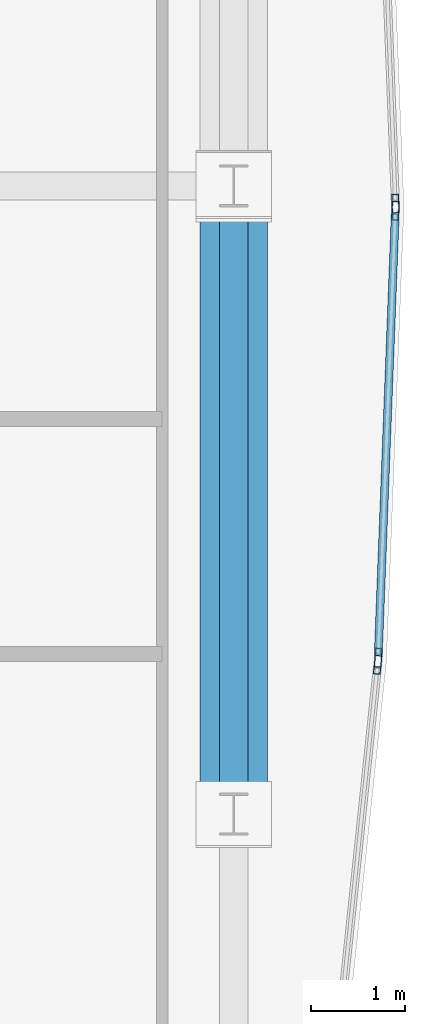
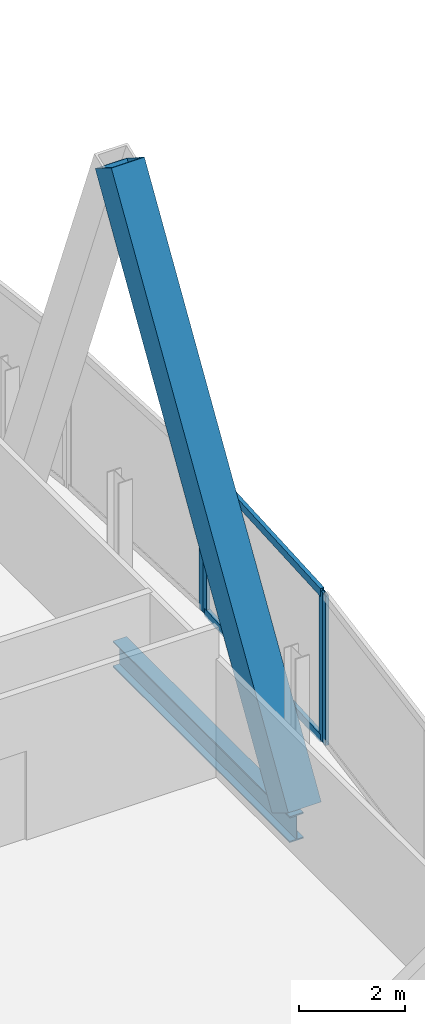
# One storey, part 19 of 32: 7 members, 1 beam, 3 elements without a shape of their own.
"""IFC4 building model written with IfcOpenShell, lengths in metres."""

from ifc_helpers import new_model, si_unit, direction, frame, origin, origin_2d, place, context, subcontext, project, spatial, hollow_rectangle, i_section, extrude, material, material_profile, profile_set, type_object, element, aggregate, save


model = new_model("IFC4")

# Units and contexts
model_context = context("Model", 3, precision=1e-05, world=origin(), true_north=direction((0.0, 1.0)))
body_context = subcontext(model_context, "Body", "Model", "MODEL_VIEW")
ifc_project = project(units=[si_unit("LENGTHUNIT", "METRE"), si_unit("AREAUNIT", "SQUARE_METRE"), si_unit("VOLUMEUNIT", "CUBIC_METRE"), si_unit("PLANEANGLEUNIT", "RADIAN"), si_unit("MASSUNIT", "GRAM", prefix="KILO")], contexts=[model_context])

# Site, building, storey
site_placement = place(None, origin())
site = spatial("IfcSite", under=ifc_project, at=site_placement, CompositionType="ELEMENT")
building_placement = place(site_placement, origin())
building = spatial("IfcBuilding", under=site, at=building_placement, Name="Khoronbel Lancet Exchange", CompositionType="ELEMENT")
storey_placement = place(building_placement, frame((0.0, 0.0, 199.39990234375)))
storey = spatial("IfcBuildingStorey", under=building, at=storey_placement, Name="L50", CompositionType="ELEMENT", Elevation=199.39990234375)

# Beam
ifc_material_1 = material(Name="Steel S355", Category="steel")
ifc_material_profile_1 = material_profile(ifc_material_1, i_section(OverallWidth=0.300048828125, OverallDepth=0.60009765625, WebThickness=0.015380859375, FlangeThickness=0.030029296875, at=origin_2d()), Name="HEB 600")
ifc_profile_set_1 = profile_set([ifc_material_profile_1], Name="Steel S355")
beam_type = type_object("IfcBeamType", Name="BM-BSP2", PredefinedType="SPANDREL", material=ifc_profile_set_1)
beam_placement = place(storey_placement, frame((65.6298828125, 24.75, -0.4599609375), z_axis=(0.0, 1.0, 0.0), x_axis=(-1.0, 0.0, 0.0)))
element("IfcBeam", 1, at=beam_placement, inside=storey, type_object=beam_type, Name="Level L50 perimeter spandrel beam SP12", PredefinedType="SPANDREL", context=body_context, shape_type="SweptSolid", body=[
    extrude(i_section(OverallWidth=0.300048828125, OverallDepth=0.60009765625, WebThickness=0.015380859375, FlangeThickness=0.030029296875, at=origin_2d()), origin(), (0.0, 0.0, 1.0), 6.675048828125),
])

# Curtain wall, member
ifc_material_2 = material(Name="Low-E Solar Control Insulating Glass", Category="glass")
curtain_wall_type = type_object("IfcCurtainWallType", Name="CW-4", PredefinedType="NOTDEFINED", material=ifc_material_2)
curtain_wall_1_placement = place(storey_placement, origin())
curtain_wall_1 = element("IfcCurtainWall", 2, at=curtain_wall_1_placement, inside=storey, type_object=curtain_wall_type, Name="Unitised curtain wall CW-L50-E19", PredefinedType="NOTDEFINED")
ifc_material_3 = material(Name="Bronze-Anodised Aluminium 6063-T6", Category="aluminium")
ifc_material_profile_2 = material_profile(ifc_material_3, hollow_rectangle(XDim=0.074951171875, YDim=0.199951171875, WallThickness=0.0048828125, at=origin_2d()), Name="ALU MULLION 75x200")
ifc_profile_set_2 = profile_set([ifc_material_profile_2], Name="Bronze-Anodised Aluminium 6063-T6")
member_type_1 = type_object("IfcMemberType", Name="MEM-CWM2", PredefinedType="MULLION", material=ifc_profile_set_2)
member_1_placement = place(storey_placement, frame((67.348388671875, 31.237548828125, 0.0), z_axis=(0.0, 0.0, 1.0), x_axis=(0.999259155008, 0.038485596441, 0.0)))
member_1 = element("IfcMember", 3, at=member_1_placement, type_object=member_type_1, Name="CW4 mullion 2", PredefinedType="MULLION", context=body_context, shape_type="SweptSolid", body=[
    extrude(hollow_rectangle(XDim=0.074951171875, YDim=0.199951171875, WallThickness=0.0048828125, at=origin_2d()), origin(), (0.0, 0.0, 1.0), 3.440185546875),
])
aggregate(curtain_wall_1, [member_1])

# Curtain wall, members
curtain_wall_2_placement = place(storey_placement, origin())
curtain_wall_2 = element("IfcCurtainWall", 4, at=curtain_wall_2_placement, inside=storey, type_object=curtain_wall_type, Name="Unitised curtain wall CW-L50-E20", PredefinedType="NOTDEFINED")
member_2_placement = place(storey_placement, frame((67.348388671875, 31.16259765625, 0.0), z_axis=(0.0, 0.0, 1.0), x_axis=(0.999259155008, -0.038485596441, 0.0)))
member_2 = element("IfcMember", 5, at=member_2_placement, type_object=member_type_1, Name="CW4 mullion 1", PredefinedType="MULLION", context=body_context, shape_type="SweptSolid", body=[
    extrude(hollow_rectangle(XDim=0.074951171875, YDim=0.199951171875, WallThickness=0.0048828125, at=origin_2d()), origin(), (0.0, 0.0, 1.0), 3.440185546875),
])
member_3_placement = place(storey_placement, frame((67.165283203125, 26.41064453125, 0.0), z_axis=(0.0, 0.0, 1.0), x_axis=(0.999259155008, -0.038485596441, 0.0)))
member_3 = element("IfcMember", 6, at=member_3_placement, type_object=member_type_1, Name="CW4 mullion 2", PredefinedType="MULLION", context=body_context, shape_type="SweptSolid", body=[
    extrude(hollow_rectangle(XDim=0.074951171875, YDim=0.199951171875, WallThickness=0.0048828125, at=origin_2d()), origin(), (0.0, 0.0, 1.0), 3.440185546875),
])

# Curtain wall, member
curtain_wall_3_placement = place(storey_placement, origin())
curtain_wall_3 = element("IfcCurtainWall", 7, at=curtain_wall_3_placement, inside=storey, type_object=curtain_wall_type, Name="Unitised curtain wall CW-L50-E21", PredefinedType="NOTDEFINED")
member_4_placement = place(storey_placement, frame((67.159912109375, 26.3359375, 0.0), z_axis=(0.0, 0.0, 1.0), x_axis=(0.994505340069, -0.104685856606, 0.0)))
member_4 = element("IfcMember", 8, at=member_4_placement, type_object=member_type_1, Name="CW4 mullion 1", PredefinedType="MULLION", context=body_context, shape_type="SweptSolid", body=[
    extrude(hollow_rectangle(XDim=0.074951171875, YDim=0.199951171875, WallThickness=0.0048828125, at=origin_2d()), origin(), (0.0, 0.0, 1.0), 3.440185546875),
])
aggregate(curtain_wall_3, [member_4])

# Member
ifc_material_profile_3 = material_profile(ifc_material_3, hollow_rectangle(XDim=0.0849609375, YDim=0.179931640625, WallThickness=0.0048828125, at=origin_2d()), Name="ALU TRANSOM 85x180")
ifc_profile_set_3 = profile_set([ifc_material_profile_3], Name="Bronze-Anodised Aluminium 6063-T6")
member_type_2 = type_object("IfcMemberType", Name="MEM-CWT1", PredefinedType="USERDEFINED", material=ifc_profile_set_3)
member_5_placement = place(storey_placement, frame((67.346923828125, 31.125, 0.04248046875), z_axis=(-0.038497229364, -0.999258706908, 0.0), x_axis=(0.999258706908, -0.038497229364, 0.0)))
member_5 = element("IfcMember", 9, at=member_5_placement, type_object=member_type_2, Name="CW4 transom 1.1", ObjectType="TRANSOM", PredefinedType="USERDEFINED", context=body_context, shape_type="SweptSolid", body=[
    extrude(hollow_rectangle(XDim=0.0849609375, YDim=0.179931640625, WallThickness=0.0048828125, at=origin_2d()), origin(), (0.0, 0.0, 1.0), 4.68017578125),
])

member_6_placement = place(storey_placement, frame((67.346923828125, 31.125, 3.397705078125), z_axis=(-0.038497229364, -0.999258706908, 0.0), x_axis=(0.999258706908, -0.038497229364, 0.0)))
member_6 = element("IfcMember", 10, at=member_6_placement, type_object=member_type_2, Name="CW4 transom 1.2", ObjectType="TRANSOM", PredefinedType="USERDEFINED", context=body_context, shape_type="SweptSolid", body=[
    extrude(hollow_rectangle(XDim=0.0849609375, YDim=0.179931640625, WallThickness=0.0048828125, at=origin_2d()), origin(), (0.0, 0.0, 1.0), 4.68017578125),
])

aggregate(curtain_wall_2, [member_2, member_3, member_5, member_6])

ifc_material_4 = material(Name="Steel S460", Category="steel")
ifc_material_profile_4 = material_profile(ifc_material_4, hollow_rectangle(XDim=0.719970703125, YDim=0.719970703125, WallThickness=0.050048828125, at=origin_2d()), Name="BOX 720x720x50")
ifc_profile_set_4 = profile_set([ifc_material_profile_4], Name="Steel S460")
member_type_3 = type_object("IfcMemberType", Name="MEM-MB2", PredefinedType="BRACE", material=ifc_profile_set_4)
member_7_placement = place(storey_placement, frame((65.6298828125, 24.75, 0.0), z_axis=(0.0, 0.525745449971, 0.850641946906), x_axis=(-1.0, 0.0, 0.0)))
element("IfcMember", 11, at=member_7_placement, inside=storey, type_object=member_type_3, Name="Perimeter lancet brace tier 17 E-P-L", PredefinedType="BRACE", context=body_context, shape_type="SweptSolid", body=[
    extrude(hollow_rectangle(XDim=0.719970703125, YDim=0.719970703125, WallThickness=0.050048828125, at=origin_2d()), origin(), (0.0, 0.0, 1.0), 12.6962890625),
])

save(model, "model.ifc")
